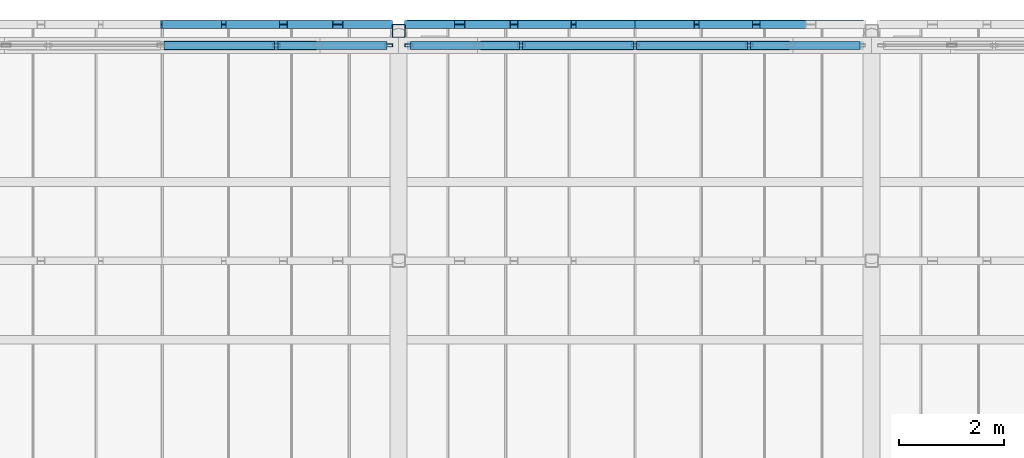
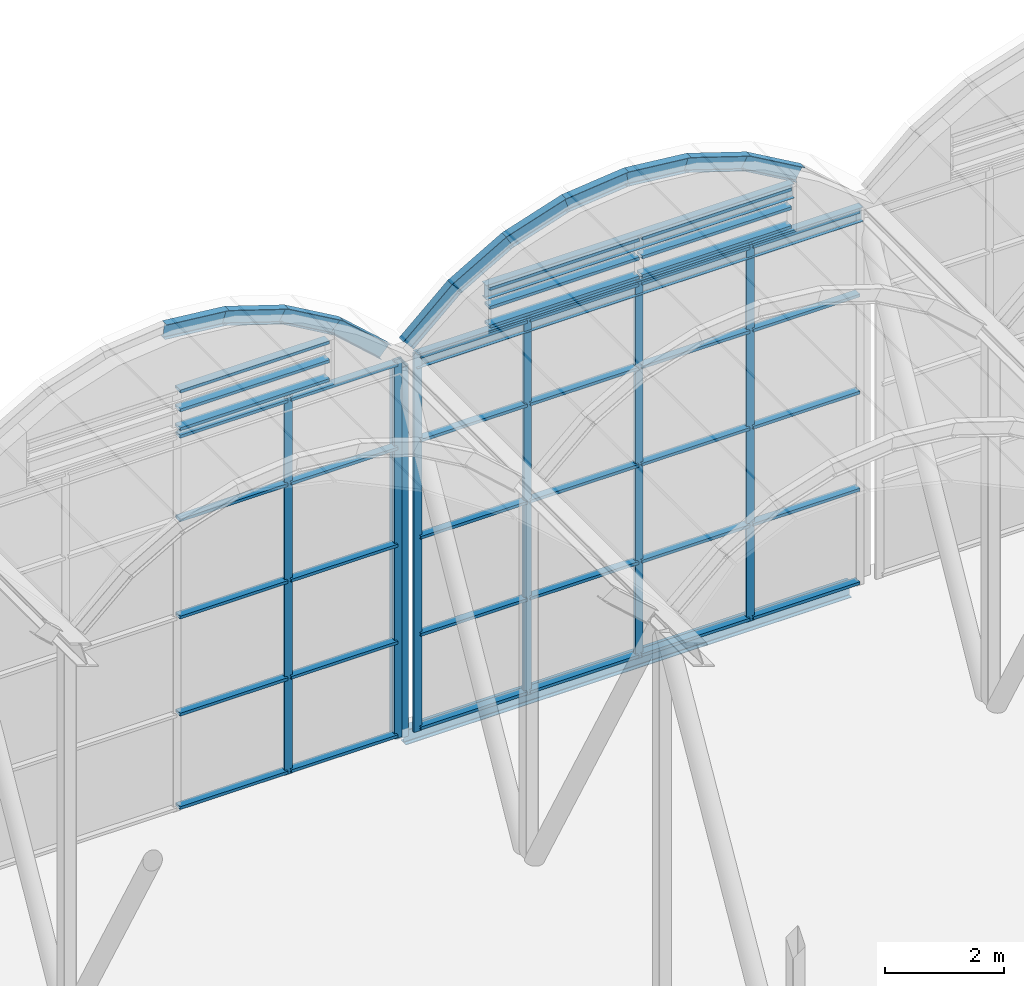
# One storey, part 110 of 144: 57 members, 3 beams, 4 elements without a shape of their own.
"""IFC4 building model written with IfcOpenShell, lengths in metres."""

from ifc_helpers import new_model, si_unit, direction, frame, origin, origin_2d, place, context, subcontext, project, spatial, hollow_rectangle, i_section, extrude, material, layer, layer_set, material_profile, profile_set, type_object, element, aggregate, save


model = new_model("IFC4")

# Units and contexts
model_context = context("Model", 3, precision=1e-05, world=origin(), true_north=direction((0.0, 1.0)))
body_context = subcontext(model_context, "Body", "Model", "MODEL_VIEW")
ifc_project = project(units=[si_unit("LENGTHUNIT", "METRE"), si_unit("AREAUNIT", "SQUARE_METRE"), si_unit("VOLUMEUNIT", "CUBIC_METRE"), si_unit("PLANEANGLEUNIT", "RADIAN"), si_unit("MASSUNIT", "GRAM", prefix="KILO")], contexts=[model_context])

# Site, building, storey
site_placement = place(None, origin())
site = spatial("IfcSite", under=ifc_project, at=site_placement, CompositionType="ELEMENT")
building_placement = place(site_placement, origin())
building = spatial("IfcBuilding", under=site, at=building_placement, Name="Shorebreak Coast Museum", CompositionType="ELEMENT")
storey_placement = place(building_placement, frame((0.0, 0.0, 36.0)))
storey = spatial("IfcBuildingStorey", under=building, at=storey_placement, Name="L06", CompositionType="ELEMENT", Elevation=36.0)

# Curtain wall, members
ifc_material_1 = material(Name="Aluminium", Category="aluminium")
ifc_layer_1 = layer(ifc_material_1, 0.14990234375)
ifc_layer_set_1 = layer_set([ifc_layer_1], Name="Aluminium")
curtain_wall_type_1 = type_object("IfcCurtainWallType", Name="Barrel end glazing", PredefinedType="NOTDEFINED", material=ifc_layer_set_1)
curtain_wall_1_placement = place(storey_placement, origin())
curtain_wall_1 = element("IfcCurtainWall", 1, at=curtain_wall_1_placement, inside=storey, type_object=curtain_wall_type_1, Name="Barrel end glazing L06 4", PredefinedType="NOTDEFINED")
ifc_material_2 = material(Name="Aluminium", Category="aluminium")
ifc_material_profile_1 = material_profile(ifc_material_2, hollow_rectangle(XDim=0.06005859375, YDim=0.14990234375, WallThickness=0.00390625, at=origin_2d()), Name="AL 150x60 RHS")
ifc_profile_set_1 = profile_set([ifc_material_profile_1], Name="Aluminium")
member_type_1 = type_object("IfcMemberType", Name="Barrel mullion 60 x 150", PredefinedType="MULLION", material=ifc_profile_set_1)
member_1_placement = place(storey_placement, frame((87.6689453125, 134.60009765625, 0.0), z_axis=(0.0, 0.0, 1.0), x_axis=(0.0, 1.0, 0.0)))
member_1 = element("IfcMember", 2, at=member_1_placement, type_object=member_type_1, Name="CW7 mullion 4", PredefinedType="MULLION", context=body_context, shape_type="SweptSolid", body=[
    extrude(hollow_rectangle(XDim=0.06005859375, YDim=0.14990234375, WallThickness=0.00390625, at=origin_2d()), origin(), (0.0, 0.0, 1.0), 7.800048828125),
])
member_2_placement = place(storey_placement, frame((89.80810546875, 134.60009765625, 0.0), z_axis=(0.0, 0.0, 1.0), x_axis=(0.0, 1.0, 0.0)))
member_2 = element("IfcMember", 3, at=member_2_placement, type_object=member_type_1, Name="CW7 mullion 5", PredefinedType="MULLION", context=body_context, shape_type="SweptSolid", body=[
    extrude(hollow_rectangle(XDim=0.06005859375, YDim=0.14990234375, WallThickness=0.00390625, at=origin_2d()), origin(), (0.0, 0.0, 1.0), 7.800048828125),
])

curtain_wall_2_placement = place(storey_placement, origin())
curtain_wall_2 = element("IfcCurtainWall", 4, at=curtain_wall_2_placement, inside=storey, type_object=curtain_wall_type_1, Name="Barrel end glazing L06 5", PredefinedType="NOTDEFINED")
member_3_placement = place(storey_placement, frame((90.19189453125, 134.60009765625, 0.0), z_axis=(0.0, 0.0, 1.0), x_axis=(0.0, 1.0, 0.0)))
member_3 = element("IfcMember", 5, at=member_3_placement, type_object=member_type_1, Name="CW7 mullion 1", PredefinedType="MULLION", context=body_context, shape_type="SweptSolid", body=[
    extrude(hollow_rectangle(XDim=0.06005859375, YDim=0.14990234375, WallThickness=0.00390625, at=origin_2d()), origin(), (0.0, 0.0, 1.0), 7.800048828125),
])
member_4_placement = place(storey_placement, frame((92.3310546875, 134.60009765625, 0.0), z_axis=(0.0, 0.0, 1.0), x_axis=(0.0, 1.0, 0.0)))
member_4 = element("IfcMember", 6, at=member_4_placement, type_object=member_type_1, Name="CW7 mullion 2", PredefinedType="MULLION", context=body_context, shape_type="SweptSolid", body=[
    extrude(hollow_rectangle(XDim=0.06005859375, YDim=0.14990234375, WallThickness=0.00390625, at=origin_2d()), origin(), (0.0, 0.0, 1.0), 7.800048828125),
])
member_5_placement = place(storey_placement, frame((94.5, 134.60009765625, 0.0), z_axis=(0.0, 0.0, 1.0), x_axis=(0.0, 1.0, 0.0)))
member_5 = element("IfcMember", 7, at=member_5_placement, type_object=member_type_1, Name="CW7 mullion 3", PredefinedType="MULLION", context=body_context, shape_type="SweptSolid", body=[
    extrude(hollow_rectangle(XDim=0.06005859375, YDim=0.14990234375, WallThickness=0.00390625, at=origin_2d()), origin(), (0.0, 0.0, 1.0), 7.800048828125),
])
member_6_placement = place(storey_placement, frame((96.6689453125, 134.60009765625, 0.0), z_axis=(0.0, 0.0, 1.0), x_axis=(0.0, 1.0, 0.0)))
member_6 = element("IfcMember", 8, at=member_6_placement, type_object=member_type_1, Name="CW7 mullion 4", PredefinedType="MULLION", context=body_context, shape_type="SweptSolid", body=[
    extrude(hollow_rectangle(XDim=0.06005859375, YDim=0.14990234375, WallThickness=0.00390625, at=origin_2d()), origin(), (0.0, 0.0, 1.0), 7.800048828125),
])

# Member
ifc_material_3 = material(Name="Aluminium", Category="aluminium")
ifc_material_profile_2 = material_profile(ifc_material_3, hollow_rectangle(XDim=0.14990234375, YDim=0.06005859375, WallThickness=0.00390625, at=origin_2d()), Name="AL 60x150 RHS")
ifc_profile_set_2 = profile_set([ifc_material_profile_2], Name="Aluminium")
member_type_2 = type_object("IfcMemberType", Name="Barrel transom 150 x 60", PredefinedType="USERDEFINED", material=ifc_profile_set_2)
member_7_placement = place(storey_placement, frame((85.530029296875, 134.60009765625, 0.074951171875), z_axis=(1.0, 0.0, 0.0), x_axis=(0.0, 1.0, 0.0)))
member_7 = element("IfcMember", 9, at=member_7_placement, type_object=member_type_2, Name="CW7 transom 3.1", ObjectType="TRANSOM", PredefinedType="USERDEFINED", context=body_context, shape_type="SweptSolid", body=[
    extrude(hollow_rectangle(XDim=0.14990234375, YDim=0.06005859375, WallThickness=0.00390625, at=origin_2d()), origin(), (0.0, 0.0, 1.0), 2.10888671875),
])

member_8_placement = place(storey_placement, frame((85.530029296875, 134.60009765625, 2.0), z_axis=(1.0, 0.0, 0.0), x_axis=(0.0, 1.0, 0.0)))
member_8 = element("IfcMember", 10, at=member_8_placement, type_object=member_type_2, Name="CW7 transom 3.2", ObjectType="TRANSOM", PredefinedType="USERDEFINED", context=body_context, shape_type="SweptSolid", body=[
    extrude(hollow_rectangle(XDim=0.14990234375, YDim=0.06005859375, WallThickness=0.00390625, at=origin_2d()), origin(), (0.0, 0.0, 1.0), 2.10888671875),
])

member_9_placement = place(storey_placement, frame((85.530029296875, 134.60009765625, 4.0), z_axis=(1.0, 0.0, 0.0), x_axis=(0.0, 1.0, 0.0)))
member_9 = element("IfcMember", 11, at=member_9_placement, type_object=member_type_2, Name="CW7 transom 3.3", ObjectType="TRANSOM", PredefinedType="USERDEFINED", context=body_context, shape_type="SweptSolid", body=[
    extrude(hollow_rectangle(XDim=0.14990234375, YDim=0.06005859375, WallThickness=0.00390625, at=origin_2d()), origin(), (0.0, 0.0, 1.0), 2.10888671875),
])

member_10_placement = place(storey_placement, frame((85.530029296875, 134.60009765625, 6.0), z_axis=(1.0, 0.0, 0.0), x_axis=(0.0, 1.0, 0.0)))
member_10 = element("IfcMember", 12, at=member_10_placement, type_object=member_type_2, Name="CW7 transom 3.4", ObjectType="TRANSOM", PredefinedType="USERDEFINED", context=body_context, shape_type="SweptSolid", body=[
    extrude(hollow_rectangle(XDim=0.14990234375, YDim=0.06005859375, WallThickness=0.00390625, at=origin_2d()), origin(), (0.0, 0.0, 1.0), 2.10888671875),
])

member_11_placement = place(storey_placement, frame((85.530029296875, 134.60009765625, 7.72509765625), z_axis=(1.0, 0.0, 0.0), x_axis=(0.0, 1.0, 0.0)))
member_11 = element("IfcMember", 13, at=member_11_placement, type_object=member_type_2, Name="CW7 transom 3.5", ObjectType="TRANSOM", PredefinedType="USERDEFINED", context=body_context, shape_type="SweptSolid", body=[
    extrude(hollow_rectangle(XDim=0.14990234375, YDim=0.06005859375, WallThickness=0.00390625, at=origin_2d()), origin(), (0.0, 0.0, 1.0), 2.10888671875),
])

member_12_placement = place(storey_placement, frame((87.698974609375, 134.60009765625, 0.074951171875), z_axis=(1.0, 0.0, 0.0), x_axis=(0.0, 1.0, 0.0)))
member_12 = element("IfcMember", 14, at=member_12_placement, type_object=member_type_2, Name="CW7 transom 4.1", ObjectType="TRANSOM", PredefinedType="USERDEFINED", context=body_context, shape_type="SweptSolid", body=[
    extrude(hollow_rectangle(XDim=0.14990234375, YDim=0.06005859375, WallThickness=0.00390625, at=origin_2d()), origin(), (0.0, 0.0, 1.0), 2.0791015625),
])

member_13_placement = place(storey_placement, frame((87.698974609375, 134.60009765625, 2.0), z_axis=(1.0, 0.0, 0.0), x_axis=(0.0, 1.0, 0.0)))
member_13 = element("IfcMember", 15, at=member_13_placement, type_object=member_type_2, Name="CW7 transom 4.2", ObjectType="TRANSOM", PredefinedType="USERDEFINED", context=body_context, shape_type="SweptSolid", body=[
    extrude(hollow_rectangle(XDim=0.14990234375, YDim=0.06005859375, WallThickness=0.00390625, at=origin_2d()), origin(), (0.0, 0.0, 1.0), 2.0791015625),
])

member_14_placement = place(storey_placement, frame((87.698974609375, 134.60009765625, 4.0), z_axis=(1.0, 0.0, 0.0), x_axis=(0.0, 1.0, 0.0)))
member_14 = element("IfcMember", 16, at=member_14_placement, type_object=member_type_2, Name="CW7 transom 4.3", ObjectType="TRANSOM", PredefinedType="USERDEFINED", context=body_context, shape_type="SweptSolid", body=[
    extrude(hollow_rectangle(XDim=0.14990234375, YDim=0.06005859375, WallThickness=0.00390625, at=origin_2d()), origin(), (0.0, 0.0, 1.0), 2.0791015625),
])

member_15_placement = place(storey_placement, frame((87.698974609375, 134.60009765625, 6.0), z_axis=(1.0, 0.0, 0.0), x_axis=(0.0, 1.0, 0.0)))
member_15 = element("IfcMember", 17, at=member_15_placement, type_object=member_type_2, Name="CW7 transom 4.4", ObjectType="TRANSOM", PredefinedType="USERDEFINED", context=body_context, shape_type="SweptSolid", body=[
    extrude(hollow_rectangle(XDim=0.14990234375, YDim=0.06005859375, WallThickness=0.00390625, at=origin_2d()), origin(), (0.0, 0.0, 1.0), 2.0791015625),
])

member_16_placement = place(storey_placement, frame((87.698974609375, 134.60009765625, 7.72509765625), z_axis=(1.0, 0.0, 0.0), x_axis=(0.0, 1.0, 0.0)))
member_16 = element("IfcMember", 18, at=member_16_placement, type_object=member_type_2, Name="CW7 transom 4.5", ObjectType="TRANSOM", PredefinedType="USERDEFINED", context=body_context, shape_type="SweptSolid", body=[
    extrude(hollow_rectangle(XDim=0.14990234375, YDim=0.06005859375, WallThickness=0.00390625, at=origin_2d()), origin(), (0.0, 0.0, 1.0), 2.0791015625),
])

aggregate(curtain_wall_1, [member_1, member_2, member_7, member_8, member_9, member_10, member_11, member_12, member_13, member_14, member_15, member_16])

member_17_placement = place(storey_placement, frame((90.221923828125, 134.60009765625, 0.074951171875), z_axis=(1.0, 0.0, 0.0), x_axis=(0.0, 1.0, 0.0)))
member_17 = element("IfcMember", 19, at=member_17_placement, type_object=member_type_2, Name="CW7 transom 1.1", ObjectType="TRANSOM", PredefinedType="USERDEFINED", context=body_context, shape_type="SweptSolid", body=[
    extrude(hollow_rectangle(XDim=0.14990234375, YDim=0.06005859375, WallThickness=0.00390625, at=origin_2d()), origin(), (0.0, 0.0, 1.0), 2.0791015625),
])

member_18_placement = place(storey_placement, frame((90.221923828125, 134.60009765625, 2.0), z_axis=(1.0, 0.0, 0.0), x_axis=(0.0, 1.0, 0.0)))
member_18 = element("IfcMember", 20, at=member_18_placement, type_object=member_type_2, Name="CW7 transom 1.2", ObjectType="TRANSOM", PredefinedType="USERDEFINED", context=body_context, shape_type="SweptSolid", body=[
    extrude(hollow_rectangle(XDim=0.14990234375, YDim=0.06005859375, WallThickness=0.00390625, at=origin_2d()), origin(), (0.0, 0.0, 1.0), 2.0791015625),
])

member_19_placement = place(storey_placement, frame((90.221923828125, 134.60009765625, 4.0), z_axis=(1.0, 0.0, 0.0), x_axis=(0.0, 1.0, 0.0)))
member_19 = element("IfcMember", 21, at=member_19_placement, type_object=member_type_2, Name="CW7 transom 1.3", ObjectType="TRANSOM", PredefinedType="USERDEFINED", context=body_context, shape_type="SweptSolid", body=[
    extrude(hollow_rectangle(XDim=0.14990234375, YDim=0.06005859375, WallThickness=0.00390625, at=origin_2d()), origin(), (0.0, 0.0, 1.0), 2.0791015625),
])

member_20_placement = place(storey_placement, frame((90.221923828125, 134.60009765625, 6.0), z_axis=(1.0, 0.0, 0.0), x_axis=(0.0, 1.0, 0.0)))
member_20 = element("IfcMember", 22, at=member_20_placement, type_object=member_type_2, Name="CW7 transom 1.4", ObjectType="TRANSOM", PredefinedType="USERDEFINED", context=body_context, shape_type="SweptSolid", body=[
    extrude(hollow_rectangle(XDim=0.14990234375, YDim=0.06005859375, WallThickness=0.00390625, at=origin_2d()), origin(), (0.0, 0.0, 1.0), 2.0791015625),
])

member_21_placement = place(storey_placement, frame((90.221923828125, 134.60009765625, 7.72509765625), z_axis=(1.0, 0.0, 0.0), x_axis=(0.0, 1.0, 0.0)))
member_21 = element("IfcMember", 23, at=member_21_placement, type_object=member_type_2, Name="CW7 transom 1.5", ObjectType="TRANSOM", PredefinedType="USERDEFINED", context=body_context, shape_type="SweptSolid", body=[
    extrude(hollow_rectangle(XDim=0.14990234375, YDim=0.06005859375, WallThickness=0.00390625, at=origin_2d()), origin(), (0.0, 0.0, 1.0), 2.0791015625),
])

member_22_placement = place(storey_placement, frame((92.361083984375, 134.60009765625, 0.074951171875), z_axis=(1.0, 0.0, 0.0), x_axis=(0.0, 1.0, 0.0)))
member_22 = element("IfcMember", 24, at=member_22_placement, type_object=member_type_2, Name="CW7 transom 2.1", ObjectType="TRANSOM", PredefinedType="USERDEFINED", context=body_context, shape_type="SweptSolid", body=[
    extrude(hollow_rectangle(XDim=0.14990234375, YDim=0.06005859375, WallThickness=0.00390625, at=origin_2d()), origin(), (0.0, 0.0, 1.0), 2.10888671875),
])

member_23_placement = place(storey_placement, frame((92.361083984375, 134.60009765625, 2.0), z_axis=(1.0, 0.0, 0.0), x_axis=(0.0, 1.0, 0.0)))
member_23 = element("IfcMember", 25, at=member_23_placement, type_object=member_type_2, Name="CW7 transom 2.2", ObjectType="TRANSOM", PredefinedType="USERDEFINED", context=body_context, shape_type="SweptSolid", body=[
    extrude(hollow_rectangle(XDim=0.14990234375, YDim=0.06005859375, WallThickness=0.00390625, at=origin_2d()), origin(), (0.0, 0.0, 1.0), 2.10888671875),
])

member_24_placement = place(storey_placement, frame((92.361083984375, 134.60009765625, 4.0), z_axis=(1.0, 0.0, 0.0), x_axis=(0.0, 1.0, 0.0)))
member_24 = element("IfcMember", 26, at=member_24_placement, type_object=member_type_2, Name="CW7 transom 2.3", ObjectType="TRANSOM", PredefinedType="USERDEFINED", context=body_context, shape_type="SweptSolid", body=[
    extrude(hollow_rectangle(XDim=0.14990234375, YDim=0.06005859375, WallThickness=0.00390625, at=origin_2d()), origin(), (0.0, 0.0, 1.0), 2.10888671875),
])

member_25_placement = place(storey_placement, frame((92.361083984375, 134.60009765625, 6.0), z_axis=(1.0, 0.0, 0.0), x_axis=(0.0, 1.0, 0.0)))
member_25 = element("IfcMember", 27, at=member_25_placement, type_object=member_type_2, Name="CW7 transom 2.4", ObjectType="TRANSOM", PredefinedType="USERDEFINED", context=body_context, shape_type="SweptSolid", body=[
    extrude(hollow_rectangle(XDim=0.14990234375, YDim=0.06005859375, WallThickness=0.00390625, at=origin_2d()), origin(), (0.0, 0.0, 1.0), 2.10888671875),
])

member_26_placement = place(storey_placement, frame((92.361083984375, 134.60009765625, 7.72509765625), z_axis=(1.0, 0.0, 0.0), x_axis=(0.0, 1.0, 0.0)))
member_26 = element("IfcMember", 28, at=member_26_placement, type_object=member_type_2, Name="CW7 transom 2.5", ObjectType="TRANSOM", PredefinedType="USERDEFINED", context=body_context, shape_type="SweptSolid", body=[
    extrude(hollow_rectangle(XDim=0.14990234375, YDim=0.06005859375, WallThickness=0.00390625, at=origin_2d()), origin(), (0.0, 0.0, 1.0), 2.10888671875),
])

member_27_placement = place(storey_placement, frame((94.530029296875, 134.60009765625, 0.074951171875), z_axis=(1.0, 0.0, 0.0), x_axis=(0.0, 1.0, 0.0)))
member_27 = element("IfcMember", 29, at=member_27_placement, type_object=member_type_2, Name="CW7 transom 3.1", ObjectType="TRANSOM", PredefinedType="USERDEFINED", context=body_context, shape_type="SweptSolid", body=[
    extrude(hollow_rectangle(XDim=0.14990234375, YDim=0.06005859375, WallThickness=0.00390625, at=origin_2d()), origin(), (0.0, 0.0, 1.0), 2.10888671875),
])

member_28_placement = place(storey_placement, frame((94.530029296875, 134.60009765625, 2.0), z_axis=(1.0, 0.0, 0.0), x_axis=(0.0, 1.0, 0.0)))
member_28 = element("IfcMember", 30, at=member_28_placement, type_object=member_type_2, Name="CW7 transom 3.2", ObjectType="TRANSOM", PredefinedType="USERDEFINED", context=body_context, shape_type="SweptSolid", body=[
    extrude(hollow_rectangle(XDim=0.14990234375, YDim=0.06005859375, WallThickness=0.00390625, at=origin_2d()), origin(), (0.0, 0.0, 1.0), 2.10888671875),
])

member_29_placement = place(storey_placement, frame((94.530029296875, 134.60009765625, 4.0), z_axis=(1.0, 0.0, 0.0), x_axis=(0.0, 1.0, 0.0)))
member_29 = element("IfcMember", 31, at=member_29_placement, type_object=member_type_2, Name="CW7 transom 3.3", ObjectType="TRANSOM", PredefinedType="USERDEFINED", context=body_context, shape_type="SweptSolid", body=[
    extrude(hollow_rectangle(XDim=0.14990234375, YDim=0.06005859375, WallThickness=0.00390625, at=origin_2d()), origin(), (0.0, 0.0, 1.0), 2.10888671875),
])

member_30_placement = place(storey_placement, frame((94.530029296875, 134.60009765625, 6.0), z_axis=(1.0, 0.0, 0.0), x_axis=(0.0, 1.0, 0.0)))
member_30 = element("IfcMember", 32, at=member_30_placement, type_object=member_type_2, Name="CW7 transom 3.4", ObjectType="TRANSOM", PredefinedType="USERDEFINED", context=body_context, shape_type="SweptSolid", body=[
    extrude(hollow_rectangle(XDim=0.14990234375, YDim=0.06005859375, WallThickness=0.00390625, at=origin_2d()), origin(), (0.0, 0.0, 1.0), 2.10888671875),
])

member_31_placement = place(storey_placement, frame((94.530029296875, 134.60009765625, 7.72509765625), z_axis=(1.0, 0.0, 0.0), x_axis=(0.0, 1.0, 0.0)))
member_31 = element("IfcMember", 33, at=member_31_placement, type_object=member_type_2, Name="CW7 transom 3.5", ObjectType="TRANSOM", PredefinedType="USERDEFINED", context=body_context, shape_type="SweptSolid", body=[
    extrude(hollow_rectangle(XDim=0.14990234375, YDim=0.06005859375, WallThickness=0.00390625, at=origin_2d()), origin(), (0.0, 0.0, 1.0), 2.10888671875),
])

member_32_placement = place(storey_placement, frame((96.698974609375, 134.60009765625, 0.074951171875), z_axis=(1.0, 0.0, 0.0), x_axis=(0.0, 1.0, 0.0)))
member_32 = element("IfcMember", 34, at=member_32_placement, type_object=member_type_2, Name="CW7 transom 4.1", ObjectType="TRANSOM", PredefinedType="USERDEFINED", context=body_context, shape_type="SweptSolid", body=[
    extrude(hollow_rectangle(XDim=0.14990234375, YDim=0.06005859375, WallThickness=0.00390625, at=origin_2d()), origin(), (0.0, 0.0, 1.0), 2.0791015625),
])

member_33_placement = place(storey_placement, frame((96.698974609375, 134.60009765625, 2.0), z_axis=(1.0, 0.0, 0.0), x_axis=(0.0, 1.0, 0.0)))
member_33 = element("IfcMember", 35, at=member_33_placement, type_object=member_type_2, Name="CW7 transom 4.2", ObjectType="TRANSOM", PredefinedType="USERDEFINED", context=body_context, shape_type="SweptSolid", body=[
    extrude(hollow_rectangle(XDim=0.14990234375, YDim=0.06005859375, WallThickness=0.00390625, at=origin_2d()), origin(), (0.0, 0.0, 1.0), 2.0791015625),
])

member_34_placement = place(storey_placement, frame((96.698974609375, 134.60009765625, 4.0), z_axis=(1.0, 0.0, 0.0), x_axis=(0.0, 1.0, 0.0)))
member_34 = element("IfcMember", 36, at=member_34_placement, type_object=member_type_2, Name="CW7 transom 4.3", ObjectType="TRANSOM", PredefinedType="USERDEFINED", context=body_context, shape_type="SweptSolid", body=[
    extrude(hollow_rectangle(XDim=0.14990234375, YDim=0.06005859375, WallThickness=0.00390625, at=origin_2d()), origin(), (0.0, 0.0, 1.0), 2.0791015625),
])

member_35_placement = place(storey_placement, frame((96.698974609375, 134.60009765625, 6.0), z_axis=(1.0, 0.0, 0.0), x_axis=(0.0, 1.0, 0.0)))
member_35 = element("IfcMember", 37, at=member_35_placement, type_object=member_type_2, Name="CW7 transom 4.4", ObjectType="TRANSOM", PredefinedType="USERDEFINED", context=body_context, shape_type="SweptSolid", body=[
    extrude(hollow_rectangle(XDim=0.14990234375, YDim=0.06005859375, WallThickness=0.00390625, at=origin_2d()), origin(), (0.0, 0.0, 1.0), 2.0791015625),
])

member_36_placement = place(storey_placement, frame((96.698974609375, 134.60009765625, 7.72509765625), z_axis=(1.0, 0.0, 0.0), x_axis=(0.0, 1.0, 0.0)))
member_36 = element("IfcMember", 38, at=member_36_placement, type_object=member_type_2, Name="CW7 transom 4.5", ObjectType="TRANSOM", PredefinedType="USERDEFINED", context=body_context, shape_type="SweptSolid", body=[
    extrude(hollow_rectangle(XDim=0.14990234375, YDim=0.06005859375, WallThickness=0.00390625, at=origin_2d()), origin(), (0.0, 0.0, 1.0), 2.0791015625),
])

aggregate(curtain_wall_2, [member_3, member_4, member_5, member_6, member_17, member_18, member_19, member_20, member_21, member_22, member_23, member_24, member_25, member_26, member_27, member_28, member_29, member_30, member_31, member_32, member_33, member_34, member_35, member_36])

# Beam
ifc_material_4 = material(Name="Steel Grade 300", Category="steel")
ifc_material_profile_3 = material_profile(ifc_material_4, i_section(OverallWidth=0.166015625, OverallDepth=0.30712890625, WebThickness=0.006591796875, FlangeThickness=0.01171875, FilletRadius=0.011474609375, at=origin_2d()), Name="310UB46.2")
ifc_profile_set_3 = profile_set([ifc_material_profile_3], Name="Steel Grade 300")
beam_type_1 = type_object("IfcBeamType", Name="Floor girder east-west 310UB46.2", PredefinedType="BEAM", material=ifc_profile_set_3)
beam_1_placement = place(storey_placement, frame((90.155517578125, 135.0, -0.32861328125), z_axis=(1.0, 0.0, 0.0), x_axis=(0.0, 1.0, 0.0)))
element("IfcBeam", 39, at=beam_1_placement, inside=storey, type_object=beam_type_1, Name="Floor girder east-west L06 11S", PredefinedType="BEAM", context=body_context, shape_type="SweptSolid", body=[
    extrude(i_section(OverallWidth=0.166015625, OverallDepth=0.30712890625, WebThickness=0.006591796875, FlangeThickness=0.01171875, FilletRadius=0.011474609375, at=origin_2d()), origin(), (0.0, 0.0, 1.0), 8.68896484375),
])

# Curtain wall, members
ifc_material_5 = material(Name="Aluminium", Category="aluminium")
ifc_layer_2 = layer(ifc_material_5, 0.175048828125)
ifc_layer_set_2 = layer_set([ifc_layer_2], Name="Aluminium")
curtain_wall_type_2 = type_object("IfcCurtainWallType", Name="Gable curtain wall", PredefinedType="NOTDEFINED", material=ifc_layer_set_2)
curtain_wall_3_placement = place(storey_placement, origin())
curtain_wall_3 = element("IfcCurtainWall", 40, at=curtain_wall_3_placement, inside=storey, type_object=curtain_wall_type_2, Name="Vault arch glazing V4", PredefinedType="NOTDEFINED")
ifc_material_6 = material(Name="Aluminium", Category="aluminium")
ifc_material_profile_4 = material_profile(ifc_material_6, hollow_rectangle(XDim=0.175048828125, YDim=0.06005859375, WallThickness=0.00390625, at=origin_2d()), Name="AL 60x175 RHS")
ifc_profile_set_4 = profile_set([ifc_material_profile_4], Name="Aluminium")
member_type_3 = type_object("IfcMemberType", Name="Gable transom 175 x 60", PredefinedType="USERDEFINED", material=ifc_profile_set_4)
member_37_placement = place(storey_placement, frame((85.530029296875, 134.60009765625, 7.887451171875), z_axis=(1.0, 0.0, 0.0), x_axis=(0.0, 1.0, 0.0)))
member_37 = element("IfcMember", 41, at=member_37_placement, type_object=member_type_3, Name="CW9 transom 2.1", ObjectType="TRANSOM", PredefinedType="USERDEFINED", context=body_context, shape_type="SweptSolid", body=[
    extrude(hollow_rectangle(XDim=0.175048828125, YDim=0.06005859375, WallThickness=0.00390625, at=origin_2d()), origin(), (0.0, 0.0, 1.0), 2.909912109375),
])
member_38_placement = place(storey_placement, frame((85.530029296875, 134.60009765625, 8.27490234375), z_axis=(1.0, 0.0, 0.0), x_axis=(0.0, 1.0, 0.0)))
member_38 = element("IfcMember", 42, at=member_38_placement, type_object=member_type_3, Name="CW9 transom 2.2", ObjectType="TRANSOM", PredefinedType="USERDEFINED", context=body_context, shape_type="SweptSolid", body=[
    extrude(hollow_rectangle(XDim=0.175048828125, YDim=0.06005859375, WallThickness=0.00390625, at=origin_2d()), origin(), (0.0, 0.0, 1.0), 2.909912109375),
])
member_39_placement = place(storey_placement, frame((85.530029296875, 134.60009765625, 8.66259765625), z_axis=(1.0, 0.0, 0.0), x_axis=(0.0, 1.0, 0.0)))
member_39 = element("IfcMember", 43, at=member_39_placement, type_object=member_type_3, Name="CW9 transom 2.3", ObjectType="TRANSOM", PredefinedType="USERDEFINED", context=body_context, shape_type="SweptSolid", body=[
    extrude(hollow_rectangle(XDim=0.175048828125, YDim=0.06005859375, WallThickness=0.00390625, at=origin_2d()), origin(), (0.0, 0.0, 1.0), 2.909912109375),
])
aggregate(curtain_wall_3, [member_37, member_38, member_39])

curtain_wall_4_placement = place(storey_placement, origin())
curtain_wall_4 = element("IfcCurtainWall", 44, at=curtain_wall_4_placement, inside=storey, type_object=curtain_wall_type_2, Name="Vault arch glazing V5", PredefinedType="NOTDEFINED")
member_40_placement = place(storey_placement, frame((91.56005859375, 134.60009765625, 7.887451171875), z_axis=(1.0, 0.0, 0.0), x_axis=(0.0, 1.0, 0.0)))
member_40 = element("IfcMember", 45, at=member_40_placement, type_object=member_type_3, Name="CW9 transom 1.1", ObjectType="TRANSOM", PredefinedType="USERDEFINED", context=body_context, shape_type="SweptSolid", body=[
    extrude(hollow_rectangle(XDim=0.175048828125, YDim=0.06005859375, WallThickness=0.00390625, at=origin_2d()), origin(), (0.0, 0.0, 1.0), 2.909912109375),
])
member_41_placement = place(storey_placement, frame((91.56005859375, 134.60009765625, 8.27490234375), z_axis=(1.0, 0.0, 0.0), x_axis=(0.0, 1.0, 0.0)))
member_41 = element("IfcMember", 46, at=member_41_placement, type_object=member_type_3, Name="CW9 transom 1.2", ObjectType="TRANSOM", PredefinedType="USERDEFINED", context=body_context, shape_type="SweptSolid", body=[
    extrude(hollow_rectangle(XDim=0.175048828125, YDim=0.06005859375, WallThickness=0.00390625, at=origin_2d()), origin(), (0.0, 0.0, 1.0), 2.909912109375),
])
member_42_placement = place(storey_placement, frame((91.56005859375, 134.60009765625, 8.66259765625), z_axis=(1.0, 0.0, 0.0), x_axis=(0.0, 1.0, 0.0)))
member_42 = element("IfcMember", 47, at=member_42_placement, type_object=member_type_3, Name="CW9 transom 1.3", ObjectType="TRANSOM", PredefinedType="USERDEFINED", context=body_context, shape_type="SweptSolid", body=[
    extrude(hollow_rectangle(XDim=0.175048828125, YDim=0.06005859375, WallThickness=0.00390625, at=origin_2d()), origin(), (0.0, 0.0, 1.0), 2.909912109375),
])
member_43_placement = place(storey_placement, frame((94.530029296875, 134.60009765625, 7.887451171875), z_axis=(1.0, 0.0, 0.0), x_axis=(0.0, 1.0, 0.0)))
member_43 = element("IfcMember", 48, at=member_43_placement, type_object=member_type_3, Name="CW9 transom 2.1", ObjectType="TRANSOM", PredefinedType="USERDEFINED", context=body_context, shape_type="SweptSolid", body=[
    extrude(hollow_rectangle(XDim=0.175048828125, YDim=0.06005859375, WallThickness=0.00390625, at=origin_2d()), origin(), (0.0, 0.0, 1.0), 2.909912109375),
])
member_44_placement = place(storey_placement, frame((94.530029296875, 134.60009765625, 8.27490234375), z_axis=(1.0, 0.0, 0.0), x_axis=(0.0, 1.0, 0.0)))
member_44 = element("IfcMember", 49, at=member_44_placement, type_object=member_type_3, Name="CW9 transom 2.2", ObjectType="TRANSOM", PredefinedType="USERDEFINED", context=body_context, shape_type="SweptSolid", body=[
    extrude(hollow_rectangle(XDim=0.175048828125, YDim=0.06005859375, WallThickness=0.00390625, at=origin_2d()), origin(), (0.0, 0.0, 1.0), 2.909912109375),
])
member_45_placement = place(storey_placement, frame((94.530029296875, 134.60009765625, 8.66259765625), z_axis=(1.0, 0.0, 0.0), x_axis=(0.0, 1.0, 0.0)))
member_45 = element("IfcMember", 50, at=member_45_placement, type_object=member_type_3, Name="CW9 transom 2.3", ObjectType="TRANSOM", PredefinedType="USERDEFINED", context=body_context, shape_type="SweptSolid", body=[
    extrude(hollow_rectangle(XDim=0.175048828125, YDim=0.06005859375, WallThickness=0.00390625, at=origin_2d()), origin(), (0.0, 0.0, 1.0), 2.909912109375),
])
aggregate(curtain_wall_4, [member_40, member_41, member_42, member_43, member_44, member_45])

# Members
ifc_material_7 = material(Name="Steel Grade C450L0", Category="steel")
ifc_material_profile_5 = material_profile(ifc_material_7, hollow_rectangle(XDim=0.25, YDim=0.25, WallThickness=0.009033203125, InnerFilletRadius=0.013427734375, OuterFilletRadius=0.0224609375, at=origin_2d()), Name="250x250x9.0 SHS")
ifc_profile_set_5 = profile_set([ifc_material_profile_5], Name="Steel Grade C450L0")
member_type_4 = type_object("IfcMemberType", Name="Transfer truss strut 250x250x9.0 SHS", PredefinedType="STRUT", material=ifc_profile_set_5)
member_46_placement = place(storey_placement, frame((90.0, 134.875, -0.175048828125), z_axis=(0.0, 0.0, 1.0), x_axis=(1.0, 0.0, 0.0)))
element("IfcMember", 51, at=member_46_placement, inside=storey, type_object=member_type_4, Name="Transfer truss TR5 strut V14", PredefinedType="STRUT", context=body_context, shape_type="SweptSolid", body=[
    extrude(hollow_rectangle(XDim=0.25, YDim=0.25, WallThickness=0.009033203125, InnerFilletRadius=0.013427734375, OuterFilletRadius=0.0224609375, at=origin_2d()), origin(), (0.0, 0.0, 1.0), 7.6328125),
])
ifc_material_8 = material(Name="Steel Grade 300", Category="steel")
ifc_material_profile_6 = material_profile(ifc_material_8, i_section(OverallWidth=0.14892578125, OverallDepth=0.298095703125, WebThickness=0.005615234375, FlangeThickness=0.008056640625, FilletRadius=0.012939453125, at=origin_2d()), Name="310UB32.0")
ifc_profile_set_6 = profile_set([ifc_material_profile_6], Name="Steel Grade 300")
member_type_5 = type_object("IfcMemberType", Name="Vault arch rib 310UB32.0", PredefinedType="RAFTER", material=ifc_profile_set_6)
for number, where, z_axis, x_axis, name in (
    (52, (85.484375, 135.0, 9.650634765625), (0.994539296345, 0.0, -0.104362771266), (0.0, 1.0, 0.0), "Vault arch rib V4 line 10 facet 5"),
    (53, (86.6708984375, 135.0, 9.529541015625), (0.951225984169, 0.0, -0.308494938436), (0.0, 1.0, 0.0), "Vault arch rib V4 line 10 facet 6"),
    (54, (87.80615234375, 135.0, 9.16455078125), (0.866444596228, 0.0, -0.499273233478), (0.0, 1.0, 0.0), "Vault arch rib V4 line 10 facet 7"),
):
    element("IfcMember", number, at=place(storey_placement, frame(where, z_axis=z_axis, x_axis=x_axis)), inside=storey, type_object=member_type_5, Name=name, PredefinedType="RAFTER", context=body_context, shape_type="SweptSolid", body=[
        extrude(i_section(OverallWidth=0.14892578125, OverallDepth=0.298095703125, WebThickness=0.005615234375, FlangeThickness=0.008056640625, FilletRadius=0.012939453125, at=origin_2d()), origin(), (0.0, 0.0, 1.0), 1.223388671875),
    ])
for number, where, z_axis, x_axis, name in (
    (55, (88.841064453125, 135.0, 8.572021484375), (0.743894909598, 0.0, -0.668296613394), (0.0, 1.0, 0.0), "Vault arch rib V4 line 10 facet 8"),
    (56, (90.21240234375, 135.0, 7.7216796875), (0.743894909598, 0.0, 0.668296613394), (0.0, 1.0, 0.0), "Vault arch rib V5 line 10 facet 1"),
):
    element("IfcMember", number, at=place(storey_placement, frame(where, z_axis=z_axis, x_axis=x_axis)), inside=storey, type_object=member_type_5, Name=name, PredefinedType="RAFTER", context=body_context, shape_type="SweptSolid", body=[
        extrude(i_section(OverallWidth=0.14892578125, OverallDepth=0.298095703125, WebThickness=0.005615234375, FlangeThickness=0.008056640625, FilletRadius=0.012939453125, at=origin_2d()), origin(), (0.0, 0.0, 1.0), 1.2724609375),
    ])
for number, where, z_axis, x_axis, name in (
    (57, (91.1337890625, 135.0, 8.5537109375), (0.866444596228, 0.0, 0.499273233478), (0.0, 1.0, 0.0), "Vault arch rib V5 line 10 facet 2"),
    (58, (92.165283203125, 135.0, 9.152099609375), (0.951225984169, 0.0, 0.308494938436), (0.0, 1.0, 0.0), "Vault arch rib V5 line 10 facet 3"),
    (59, (93.298828125, 135.0, 9.52294921875), (0.994539296345, 0.0, 0.104362771266), (0.0, 1.0, 0.0), "Vault arch rib V5 line 10 facet 4"),
    (60, (94.484375, 135.0, 9.650634765625), (0.994539296345, 0.0, -0.104362771266), (0.0, 1.0, 0.0), "Vault arch rib V5 line 10 facet 5"),
    (61, (95.6708984375, 135.0, 9.529541015625), (0.951225984169, 0.0, -0.308494938436), (0.0, 1.0, 0.0), "Vault arch rib V5 line 10 facet 6"),
    (62, (96.80615234375, 135.0, 9.16455078125), (0.866444596228, 0.0, -0.499273233478), (0.0, 1.0, 0.0), "Vault arch rib V5 line 10 facet 7"),
):
    element("IfcMember", number, at=place(storey_placement, frame(where, z_axis=z_axis, x_axis=x_axis)), inside=storey, type_object=member_type_5, Name=name, PredefinedType="RAFTER", context=body_context, shape_type="SweptSolid", body=[
        extrude(i_section(OverallWidth=0.14892578125, OverallDepth=0.298095703125, WebThickness=0.005615234375, FlangeThickness=0.008056640625, FilletRadius=0.012939453125, at=origin_2d()), origin(), (0.0, 0.0, 1.0), 1.223388671875),
    ])

# Beams
ifc_material_9 = material(Name="Steel Grade 300", Category="steel")
ifc_material_profile_7 = material_profile(ifc_material_9, i_section(OverallWidth=0.14892578125, OverallDepth=0.298095703125, WebThickness=0.005615234375, FlangeThickness=0.008056640625, FilletRadius=0.012939453125, at=origin_2d()), Name="310UB32.0")
ifc_profile_set_7 = profile_set([ifc_material_profile_7], Name="Steel Grade 300")
beam_type_2 = type_object("IfcBeamType", Name="Vault end edge beam 310UB32.0", PredefinedType="BEAM", material=ifc_profile_set_7)
beam_2_placement = place(storey_placement, frame((90.155517578125, 134.60009765625, 7.65087890625), z_axis=(1.0, 0.0, 0.0), x_axis=(0.0, 1.0, 0.0)))
element("IfcBeam", 63, at=beam_2_placement, inside=storey, type_object=beam_type_2, Name="Vault end edge beam V5", PredefinedType="BEAM", context=body_context, shape_type="SweptSolid", body=[
    extrude(i_section(OverallWidth=0.14892578125, OverallDepth=0.298095703125, WebThickness=0.005615234375, FlangeThickness=0.008056640625, FilletRadius=0.012939453125, at=origin_2d()), origin(), (0.0, 0.0, 1.0), 8.68896484375),
])
ifc_material_10 = material(Name="Steel Grade 300", Category="steel")
ifc_material_profile_8 = material_profile(ifc_material_10, i_section(OverallWidth=0.14892578125, OverallDepth=0.298095703125, WebThickness=0.005615234375, FlangeThickness=0.008056640625, FilletRadius=0.012939453125, at=origin_2d()), Name="310UB32.0")
ifc_profile_set_8 = profile_set([ifc_material_profile_8], Name="Steel Grade 300")
beam_type_3 = type_object("IfcBeamType", Name="Vault end lintel 310UB32.0", PredefinedType="BEAM", material=ifc_profile_set_8)
beam_3_placement = place(storey_placement, frame((91.5, 134.60009765625, 8.60107421875), z_axis=(1.0, 0.0, 0.0), x_axis=(0.0, 1.0, 0.0)))
element("IfcBeam", 64, at=beam_3_placement, inside=storey, type_object=beam_type_3, Name="Vault end lintel V5", PredefinedType="BEAM", context=body_context, shape_type="SweptSolid", body=[
    extrude(i_section(OverallWidth=0.14892578125, OverallDepth=0.298095703125, WebThickness=0.005615234375, FlangeThickness=0.008056640625, FilletRadius=0.012939453125, at=origin_2d()), origin(), (0.0, 0.0, 1.0), 6.0),
])

save(model, "model.ifc")
